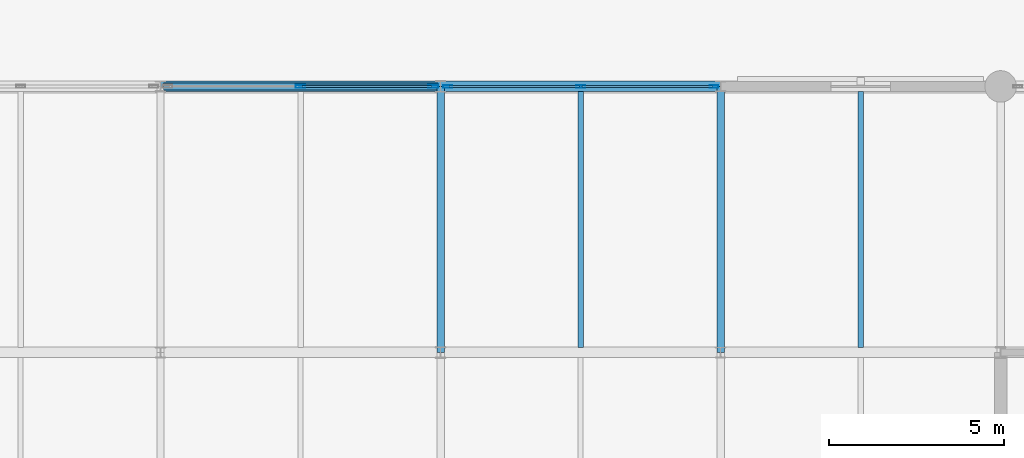
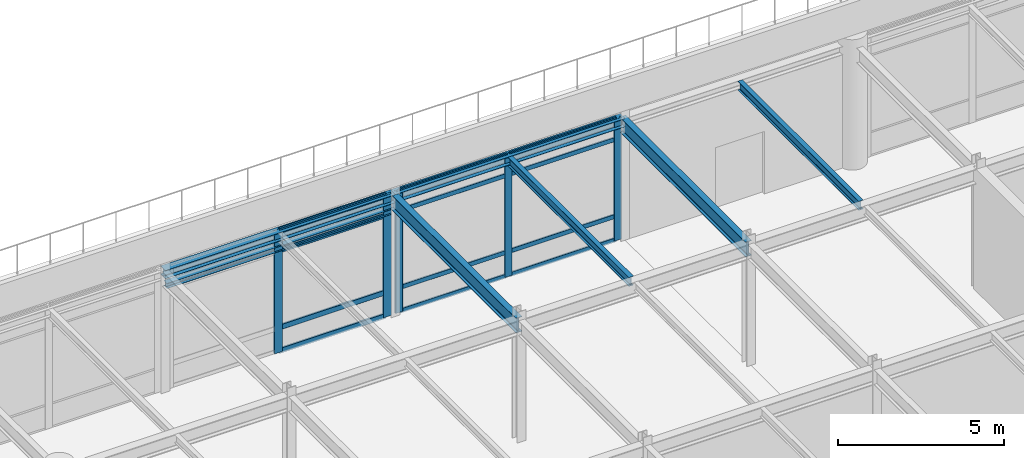
# One storey, part 24 of 43: 17 members, 7 beams, 2 elements without a shape of their own.
"""IFC4 building model written with IfcOpenShell, lengths in metres."""

from ifc_helpers import new_model, si_unit, direction, frame, origin, origin_2d, place, context, subcontext, project, spatial, hollow_rectangle, i_section, extrude, material, layer, layer_set, material_profile, profile_set, type_object, element, aggregate, save


model = new_model("IFC4")

# Units and contexts
model_context = context("Model", 3, precision=1e-05, world=origin(), true_north=direction((0.0, 1.0)))
body_context = subcontext(model_context, "Body", "Model", "MODEL_VIEW")
ifc_project = project(units=[si_unit("LENGTHUNIT", "METRE"), si_unit("AREAUNIT", "SQUARE_METRE"), si_unit("VOLUMEUNIT", "CUBIC_METRE"), si_unit("PLANEANGLEUNIT", "RADIAN"), si_unit("MASSUNIT", "GRAM", prefix="KILO")], contexts=[model_context])

# Site, building, storey
site_placement = place(None, origin())
site = spatial("IfcSite", under=ifc_project, at=site_placement, CompositionType="ELEMENT")
building_placement = place(site_placement, origin())
building = spatial("IfcBuilding", under=site, at=building_placement, Name="Shalkamar Park Central Library", CompositionType="ELEMENT")
storey_placement = place(building_placement, frame((0.0, 0.0, 15.60009765625)))
storey = spatial("IfcBuildingStorey", under=building, at=storey_placement, Name="L04", CompositionType="ELEMENT", Elevation=15.60009765625)

# Beams
ifc_material_1 = material(Name="Steel S355", Category="steel")
ifc_material_profile_1 = material_profile(ifc_material_1, i_section(OverallWidth=0.159912109375, OverallDepth=0.330078125, WebThickness=0.007568359375, FlangeThickness=0.011474609375, FilletRadius=0.01806640625, at=origin_2d()), Name="IPE 330")
ifc_profile_set_1 = profile_set([ifc_material_profile_1], Name="Steel S355")
beam_type_1 = type_object("IfcBeamType", Name="Composite Floor Joist IPE330", PredefinedType="JOIST", material=ifc_profile_set_1)
for number, where, z_axis, x_axis, name in (
    (1, (185.0, 308.548095703125, 4.31494140625), (0.0, 1.0, 0.0), (-1.0, 0.0, 0.0), "Composite Joist 09/K-1 (L04)"),
    (2, (193.0, 308.548095703125, 4.31494140625), (0.0, 1.0, 0.0), (-1.0, 0.0, 0.0), "Composite Joist 10/K-1 (L04)"),
):
    element("IfcBeam", number, at=place(storey_placement, frame(where, z_axis=z_axis, x_axis=x_axis)), inside=storey, type_object=beam_type_1, Name=name, PredefinedType="JOIST", context=body_context, shape_type="SweptSolid", body=[
        extrude(i_section(OverallWidth=0.159912109375, OverallDepth=0.330078125, WebThickness=0.007568359375, FlangeThickness=0.011474609375, FilletRadius=0.01806640625, at=origin_2d()), origin(), (0.0, 0.0, 1.0), 7.303955078125),
    ])

# Curtain wall, members
ifc_material_2 = material(Name="Thermally broken aluminium and triple low-e curtain wall", Category="aluminium")
ifc_layer_1 = layer(ifc_material_2, 0.25)
ifc_layer_set_1 = layer_set([ifc_layer_1], Name="UnitisedCurtainWall_56")
curtain_wall_type_1 = type_object("IfcCurtainWallType", Name="Unitised Curtain Wall 56", PredefinedType="USERDEFINED", material=ifc_layer_set_1)
curtain_wall_1_placement = place(storey_placement, origin())
curtain_wall_1 = element("IfcCurtainWall", 3, at=curtain_wall_1_placement, inside=storey, type_object=curtain_wall_type_1, Name="Unitised Curtain Wall CW-L04-070", ObjectType="UNITISED CURTAIN WALL", PredefinedType="USERDEFINED")
ifc_material_3 = material(Name="Aluminium 6060-T66", Category="aluminium")
ifc_material_profile_2 = material_profile(ifc_material_3, hollow_rectangle(XDim=0.074951171875, YDim=0.25, WallThickness=0.00390625, InnerFilletRadius=0.00390625, OuterFilletRadius=0.006103515625, at=origin_2d()), Name="ALU 75x250x4")
ifc_profile_set_2 = profile_set([ifc_material_profile_2], Name="Aluminium 6060-T66")
member_type_1 = type_object("IfcMemberType", Name="Curtain Wall Mullion ALU75x250", PredefinedType="MULLION", material=ifc_profile_set_2)
member_1_placement = place(storey_placement, frame((181.201416015625, 316.0, 0.0), z_axis=(0.0, 0.0, 1.0), x_axis=(0.0, 1.0, 0.0)))
member_1 = element("IfcMember", 4, at=member_1_placement, type_object=member_type_1, Name="CW-56 mullion 1", PredefinedType="MULLION", context=body_context, shape_type="SweptSolid", body=[
    extrude(hollow_rectangle(XDim=0.074951171875, YDim=0.25, WallThickness=0.00390625, InnerFilletRadius=0.00390625, OuterFilletRadius=0.006103515625, at=origin_2d()), origin(), (0.0, 0.0, 1.0), 4.47998046875),
])
member_2_placement = place(storey_placement, frame((185.0048828125, 316.0, 0.0), z_axis=(0.0, 0.0, 1.0), x_axis=(0.0, 1.0, 0.0)))
member_2 = element("IfcMember", 5, at=member_2_placement, type_object=member_type_1, Name="CW-56 mullion 2", PredefinedType="MULLION", context=body_context, shape_type="SweptSolid", body=[
    extrude(hollow_rectangle(XDim=0.074951171875, YDim=0.25, WallThickness=0.00390625, InnerFilletRadius=0.00390625, OuterFilletRadius=0.006103515625, at=origin_2d()), origin(), (0.0, 0.0, 1.0), 4.47998046875),
])
member_3_placement = place(storey_placement, frame((188.80859375, 316.0, 0.0), z_axis=(0.0, 0.0, 1.0), x_axis=(0.0, 1.0, 0.0)))
member_3 = element("IfcMember", 6, at=member_3_placement, type_object=member_type_1, Name="CW-56 mullion 3", PredefinedType="MULLION", context=body_context, shape_type="SweptSolid", body=[
    extrude(hollow_rectangle(XDim=0.074951171875, YDim=0.25, WallThickness=0.00390625, InnerFilletRadius=0.00390625, OuterFilletRadius=0.006103515625, at=origin_2d()), origin(), (0.0, 0.0, 1.0), 4.47998046875),
])

ifc_layer_2 = layer(ifc_material_2, 0.280029296875)
ifc_layer_set_2 = layer_set([ifc_layer_2], Name="UnitisedCurtainWall_55")
curtain_wall_type_2 = type_object("IfcCurtainWallType", Name="Unitised Curtain Wall 55", PredefinedType="USERDEFINED", material=ifc_layer_set_2)
curtain_wall_2_placement = place(storey_placement, origin())
curtain_wall_2 = element("IfcCurtainWall", 7, at=curtain_wall_2_placement, inside=storey, type_object=curtain_wall_type_2, Name="Unitised Curtain Wall CW-L04-069", ObjectType="UNITISED CURTAIN WALL", PredefinedType="USERDEFINED")
ifc_material_profile_3 = material_profile(ifc_material_3, hollow_rectangle(XDim=0.090087890625, YDim=0.280029296875, WallThickness=0.0048828125, InnerFilletRadius=0.0048828125, OuterFilletRadius=0.007568359375, at=origin_2d()), Name="ALU 90x280x5")
ifc_profile_set_3 = profile_set([ifc_material_profile_3], Name="Aluminium 6060-T66")
member_type_2 = type_object("IfcMemberType", Name="Curtain Wall Mullion ALU90x280", PredefinedType="MULLION", material=ifc_profile_set_3)
member_4_placement = place(storey_placement, frame((176.9951171875, 316.0, 0.0), z_axis=(0.0, 0.0, 1.0), x_axis=(0.0, 1.0, 0.0)))
member_4 = element("IfcMember", 8, at=member_4_placement, type_object=member_type_2, Name="CW-55 mullion 2", PredefinedType="MULLION", context=body_context, shape_type="SweptSolid", body=[
    extrude(hollow_rectangle(XDim=0.090087890625, YDim=0.280029296875, WallThickness=0.0048828125, InnerFilletRadius=0.0048828125, OuterFilletRadius=0.007568359375, at=origin_2d()), origin(), (0.0, 0.0, 1.0), 4.47998046875),
])
member_5_placement = place(storey_placement, frame((180.791015625, 316.0, 0.0), z_axis=(0.0, 0.0, 1.0), x_axis=(0.0, 1.0, 0.0)))
member_5 = element("IfcMember", 9, at=member_5_placement, type_object=member_type_2, Name="CW-55 mullion 3", PredefinedType="MULLION", context=body_context, shape_type="SweptSolid", body=[
    extrude(hollow_rectangle(XDim=0.090087890625, YDim=0.280029296875, WallThickness=0.0048828125, InnerFilletRadius=0.0048828125, OuterFilletRadius=0.007568359375, at=origin_2d()), origin(), (0.0, 0.0, 1.0), 4.47998046875),
])

# Member
ifc_material_profile_4 = material_profile(ifc_material_3, hollow_rectangle(XDim=0.06005859375, YDim=0.159912109375, WallThickness=0.00390625, InnerFilletRadius=0.00390625, OuterFilletRadius=0.006103515625, at=origin_2d()), Name="ALU 60x160x4")
ifc_profile_set_4 = profile_set([ifc_material_profile_4], Name="Aluminium 6060-T66")
member_type_3 = type_object("IfcMemberType", Name="Curtain Wall Transom ALU60x160", PredefinedType="USERDEFINED", material=ifc_profile_set_4)
member_6_placement = place(storey_placement, frame((181.239013671875, 316.0, 0.02978515625), z_axis=(1.0, 0.0, 0.0), x_axis=(0.0, 1.0, 0.0)))
member_6 = element("IfcMember", 10, at=member_6_placement, type_object=member_type_3, Name="CW-56 transom 1.1", ObjectType="TRANSOM", PredefinedType="USERDEFINED", context=body_context, shape_type="SweptSolid", body=[
    extrude(hollow_rectangle(XDim=0.06005859375, YDim=0.159912109375, WallThickness=0.00390625, InnerFilletRadius=0.00390625, OuterFilletRadius=0.006103515625, at=origin_2d()), origin(), (0.0, 0.0, 1.0), 3.728515625),
])

member_7_placement = place(storey_placement, frame((181.239013671875, 316.0, 0.89990234375), z_axis=(1.0, 0.0, 0.0), x_axis=(0.0, 1.0, 0.0)))
member_7 = element("IfcMember", 11, at=member_7_placement, type_object=member_type_3, Name="CW-56 transom 1.2", ObjectType="TRANSOM", PredefinedType="USERDEFINED", context=body_context, shape_type="SweptSolid", body=[
    extrude(hollow_rectangle(XDim=0.06005859375, YDim=0.159912109375, WallThickness=0.00390625, InnerFilletRadius=0.00390625, OuterFilletRadius=0.006103515625, at=origin_2d()), origin(), (0.0, 0.0, 1.0), 3.728515625),
])

member_8_placement = place(storey_placement, frame((181.239013671875, 316.0, 3.72998046875), z_axis=(1.0, 0.0, 0.0), x_axis=(0.0, 1.0, 0.0)))
member_8 = element("IfcMember", 12, at=member_8_placement, type_object=member_type_3, Name="CW-56 transom 1.3", ObjectType="TRANSOM", PredefinedType="USERDEFINED", context=body_context, shape_type="SweptSolid", body=[
    extrude(hollow_rectangle(XDim=0.06005859375, YDim=0.159912109375, WallThickness=0.00390625, InnerFilletRadius=0.00390625, OuterFilletRadius=0.006103515625, at=origin_2d()), origin(), (0.0, 0.0, 1.0), 3.728515625),
])

member_9_placement = place(storey_placement, frame((181.239013671875, 316.0, 4.449951171875), z_axis=(1.0, 0.0, 0.0), x_axis=(0.0, 1.0, 0.0)))
member_9 = element("IfcMember", 13, at=member_9_placement, type_object=member_type_3, Name="CW-56 transom 1.4", ObjectType="TRANSOM", PredefinedType="USERDEFINED", context=body_context, shape_type="SweptSolid", body=[
    extrude(hollow_rectangle(XDim=0.06005859375, YDim=0.159912109375, WallThickness=0.00390625, InnerFilletRadius=0.00390625, OuterFilletRadius=0.006103515625, at=origin_2d()), origin(), (0.0, 0.0, 1.0), 3.728515625),
])

member_10_placement = place(storey_placement, frame((185.04248046875, 316.0, 0.02978515625), z_axis=(1.0, 0.0, 0.0), x_axis=(0.0, 1.0, 0.0)))
member_10 = element("IfcMember", 14, at=member_10_placement, type_object=member_type_3, Name="CW-56 transom 2.1", ObjectType="TRANSOM", PredefinedType="USERDEFINED", context=body_context, shape_type="SweptSolid", body=[
    extrude(hollow_rectangle(XDim=0.06005859375, YDim=0.159912109375, WallThickness=0.00390625, InnerFilletRadius=0.00390625, OuterFilletRadius=0.006103515625, at=origin_2d()), origin(), (0.0, 0.0, 1.0), 3.728515625),
])

member_11_placement = place(storey_placement, frame((185.04248046875, 316.0, 0.89990234375), z_axis=(1.0, 0.0, 0.0), x_axis=(0.0, 1.0, 0.0)))
member_11 = element("IfcMember", 15, at=member_11_placement, type_object=member_type_3, Name="CW-56 transom 2.2", ObjectType="TRANSOM", PredefinedType="USERDEFINED", context=body_context, shape_type="SweptSolid", body=[
    extrude(hollow_rectangle(XDim=0.06005859375, YDim=0.159912109375, WallThickness=0.00390625, InnerFilletRadius=0.00390625, OuterFilletRadius=0.006103515625, at=origin_2d()), origin(), (0.0, 0.0, 1.0), 3.728515625),
])

member_12_placement = place(storey_placement, frame((185.04248046875, 316.0, 3.72998046875), z_axis=(1.0, 0.0, 0.0), x_axis=(0.0, 1.0, 0.0)))
member_12 = element("IfcMember", 16, at=member_12_placement, type_object=member_type_3, Name="CW-56 transom 2.3", ObjectType="TRANSOM", PredefinedType="USERDEFINED", context=body_context, shape_type="SweptSolid", body=[
    extrude(hollow_rectangle(XDim=0.06005859375, YDim=0.159912109375, WallThickness=0.00390625, InnerFilletRadius=0.00390625, OuterFilletRadius=0.006103515625, at=origin_2d()), origin(), (0.0, 0.0, 1.0), 3.728515625),
])

member_13_placement = place(storey_placement, frame((185.04248046875, 316.0, 4.449951171875), z_axis=(1.0, 0.0, 0.0), x_axis=(0.0, 1.0, 0.0)))
member_13 = element("IfcMember", 17, at=member_13_placement, type_object=member_type_3, Name="CW-56 transom 2.4", ObjectType="TRANSOM", PredefinedType="USERDEFINED", context=body_context, shape_type="SweptSolid", body=[
    extrude(hollow_rectangle(XDim=0.06005859375, YDim=0.159912109375, WallThickness=0.00390625, InnerFilletRadius=0.00390625, OuterFilletRadius=0.006103515625, at=origin_2d()), origin(), (0.0, 0.0, 1.0), 3.728515625),
])

aggregate(curtain_wall_1, [member_1, member_2, member_3, member_6, member_7, member_8, member_9, member_10, member_11, member_12, member_13])

ifc_material_profile_5 = material_profile(ifc_material_3, hollow_rectangle(XDim=0.070068359375, YDim=0.18994140625, WallThickness=0.0048828125, InnerFilletRadius=0.0048828125, OuterFilletRadius=0.007568359375, at=origin_2d()), Name="ALU 70x190x5")
ifc_profile_set_5 = profile_set([ifc_material_profile_5], Name="Aluminium 6060-T66")
member_type_4 = type_object("IfcMemberType", Name="Curtain Wall Transom ALU70x190", PredefinedType="USERDEFINED", material=ifc_profile_set_5)
member_14_placement = place(storey_placement, frame((177.0400390625, 316.0, 0.034912109375), z_axis=(1.0, 0.0, 0.0), x_axis=(0.0, 1.0, 0.0)))
member_14 = element("IfcMember", 18, at=member_14_placement, type_object=member_type_4, Name="CW-55 transom 2.1", ObjectType="TRANSOM", PredefinedType="USERDEFINED", context=body_context, shape_type="SweptSolid", body=[
    extrude(hollow_rectangle(XDim=0.070068359375, YDim=0.18994140625, WallThickness=0.0048828125, InnerFilletRadius=0.0048828125, OuterFilletRadius=0.007568359375, at=origin_2d()), origin(), (0.0, 0.0, 1.0), 3.7060546875),
])

member_15_placement = place(storey_placement, frame((177.0400390625, 316.0, 0.89990234375), z_axis=(1.0, 0.0, 0.0), x_axis=(0.0, 1.0, 0.0)))
member_15 = element("IfcMember", 19, at=member_15_placement, type_object=member_type_4, Name="CW-55 transom 2.2", ObjectType="TRANSOM", PredefinedType="USERDEFINED", context=body_context, shape_type="SweptSolid", body=[
    extrude(hollow_rectangle(XDim=0.070068359375, YDim=0.18994140625, WallThickness=0.0048828125, InnerFilletRadius=0.0048828125, OuterFilletRadius=0.007568359375, at=origin_2d()), origin(), (0.0, 0.0, 1.0), 3.7060546875),
])

member_16_placement = place(storey_placement, frame((177.0400390625, 316.0, 3.72998046875), z_axis=(1.0, 0.0, 0.0), x_axis=(0.0, 1.0, 0.0)))
member_16 = element("IfcMember", 20, at=member_16_placement, type_object=member_type_4, Name="CW-55 transom 2.3", ObjectType="TRANSOM", PredefinedType="USERDEFINED", context=body_context, shape_type="SweptSolid", body=[
    extrude(hollow_rectangle(XDim=0.070068359375, YDim=0.18994140625, WallThickness=0.0048828125, InnerFilletRadius=0.0048828125, OuterFilletRadius=0.007568359375, at=origin_2d()), origin(), (0.0, 0.0, 1.0), 3.7060546875),
])

member_17_placement = place(storey_placement, frame((177.0400390625, 316.0, 4.44482421875), z_axis=(1.0, 0.0, 0.0), x_axis=(0.0, 1.0, 0.0)))
member_17 = element("IfcMember", 21, at=member_17_placement, type_object=member_type_4, Name="CW-55 transom 2.4", ObjectType="TRANSOM", PredefinedType="USERDEFINED", context=body_context, shape_type="SweptSolid", body=[
    extrude(hollow_rectangle(XDim=0.070068359375, YDim=0.18994140625, WallThickness=0.0048828125, InnerFilletRadius=0.0048828125, OuterFilletRadius=0.007568359375, at=origin_2d()), origin(), (0.0, 0.0, 1.0), 3.7060546875),
])

aggregate(curtain_wall_2, [member_4, member_5, member_14, member_15, member_16, member_17])

# Beams
ifc_material_profile_6 = material_profile(ifc_material_1, i_section(OverallWidth=0.199951171875, OverallDepth=0.18994140625, WebThickness=0.006591796875, FlangeThickness=0.010009765625, FilletRadius=0.01806640625, at=origin_2d()), Name="HEA 200")
ifc_profile_set_6 = profile_set([ifc_material_profile_6], Name="Steel S355")
beam_type_2 = type_object("IfcBeamType", Name="Opening Lintel Beam HEA200", PredefinedType="LINTEL", material=ifc_profile_set_6)
beam_placement = place(storey_placement, frame((173.080078125, 316.0, 3.849853515625), z_axis=(1.0, 0.0, 0.0), x_axis=(0.0, 1.0, 0.0)))
element("IfcBeam", 22, at=beam_placement, inside=storey, type_object=beam_type_2, Name="Opening Lintel L04-35", PredefinedType="LINTEL", context=body_context, shape_type="SweptSolid", body=[
    extrude(i_section(OverallWidth=0.199951171875, OverallDepth=0.18994140625, WebThickness=0.006591796875, FlangeThickness=0.010009765625, FilletRadius=0.01806640625, at=origin_2d()), origin(), (0.0, 0.0, 1.0), 7.83984375),
])
ifc_material_profile_7 = material_profile(ifc_material_1, i_section(OverallWidth=0.300048828125, OverallDepth=0.31005859375, WebThickness=0.009033203125, FlangeThickness=0.015380859375, FilletRadius=0.027099609375, at=origin_2d()), Name="HEA 320")
ifc_profile_set_7 = profile_set([ifc_material_profile_7], Name="Steel S355")
beam_type_3 = type_object("IfcBeamType", Name="Perimeter Spandrel Beam HEA320", PredefinedType="SPANDREL", material=ifc_profile_set_7)
for number, where, z_axis, x_axis, name in (
    (23, (173.0, 316.0, 4.324951171875), (1.0, 0.0, 0.0), (0.0, 1.0, 0.0), "Beam L:08-09 (L04)"),
    (24, (181.0, 316.0, 4.324951171875), (1.0, 0.0, 0.0), (0.0, 1.0, 0.0), "Beam L:09-10 (L04)"),
):
    element("IfcBeam", number, at=place(storey_placement, frame(where, z_axis=z_axis, x_axis=x_axis)), inside=storey, type_object=beam_type_3, Name=name, PredefinedType="SPANDREL", context=body_context, shape_type="SweptSolid", body=[
        extrude(i_section(OverallWidth=0.300048828125, OverallDepth=0.31005859375, WebThickness=0.009033203125, FlangeThickness=0.015380859375, FilletRadius=0.027099609375, at=origin_2d()), origin(), (0.0, 0.0, 1.0), 8.0),
    ])
ifc_material_profile_8 = material_profile(ifc_material_1, i_section(OverallWidth=0.2099609375, OverallDepth=0.550048828125, WebThickness=0.010986328125, FlangeThickness=0.01708984375, FilletRadius=0.02392578125, at=origin_2d()), Name="IPE 550")
ifc_profile_set_8 = profile_set([ifc_material_profile_8], Name="Steel S355")
beam_type_4 = type_object("IfcBeamType", Name="Primary Girder IPE550", PredefinedType="BEAM", material=ifc_profile_set_8)
for number, where, z_axis, x_axis, name in (
    (25, (181.0, 308.39990234375, 4.204833984375), (0.0, 1.0, 0.0), (-1.0, 0.0, 0.0), "Beam 09:K-L (L04)"),
    (26, (189.0, 308.39990234375, 4.204833984375), (0.0, 1.0, 0.0), (-1.0, 0.0, 0.0), "Beam 10:K-L (L04)"),
):
    element("IfcBeam", number, at=place(storey_placement, frame(where, z_axis=z_axis, x_axis=x_axis)), inside=storey, type_object=beam_type_4, Name=name, PredefinedType="BEAM", context=body_context, shape_type="SweptSolid", body=[
        extrude(i_section(OverallWidth=0.2099609375, OverallDepth=0.550048828125, WebThickness=0.010986328125, FlangeThickness=0.01708984375, FilletRadius=0.02392578125, at=origin_2d()), origin(), (0.0, 0.0, 1.0), 7.60009765625),
    ])

save(model, "model.ifc")
